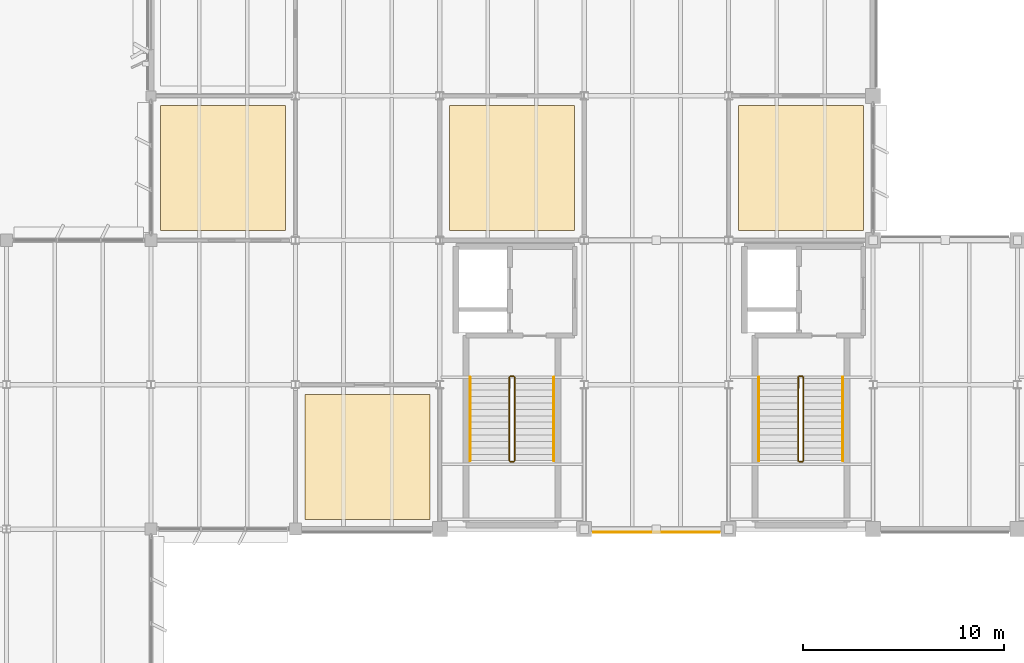
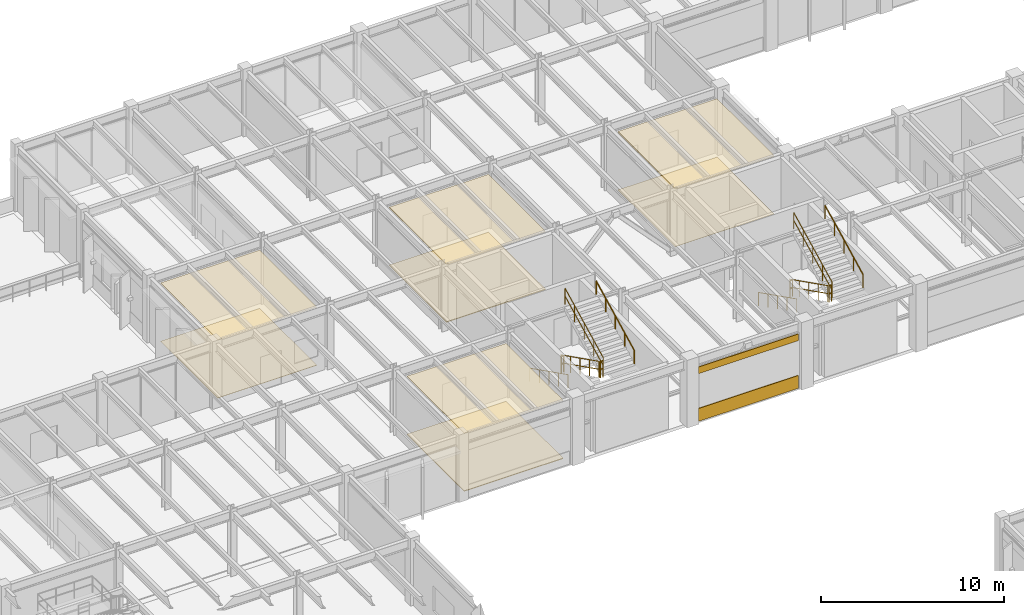
# One storey, part 87 of 92: 12 railings, 10 coverings.
"""IFC4 building model written with IfcOpenShell, lengths in metres."""

from ifc_helpers import new_model, si_unit, direction, frame, frame_2d, origin, origin_2d, place, context, subcontext, project, spatial, polyline, rectangle, circle, outline, extrude, material, layer, layer_set, type_object, element, save


model = new_model("IFC4")

# Units and contexts
model_context = context("Model", 3, precision=1e-05, world=origin(), true_north=direction((0.0, 1.0)))
body_context = subcontext(model_context, "Body", "Model", "MODEL_VIEW")
ifc_project = project(units=[si_unit("LENGTHUNIT", "METRE"), si_unit("AREAUNIT", "SQUARE_METRE"), si_unit("VOLUMEUNIT", "CUBIC_METRE"), si_unit("PLANEANGLEUNIT", "RADIAN"), si_unit("MASSUNIT", "GRAM", prefix="KILO")], contexts=[model_context])

# Site, building, storey
site_placement = place(None, origin())
site = spatial("IfcSite", under=ifc_project, at=site_placement, CompositionType="ELEMENT")
building_placement = place(site_placement, origin())
building = spatial("IfcBuilding", under=site, at=building_placement, Name="Sillqori Civic Hall", CompositionType="ELEMENT")
storey_placement = place(building_placement, frame((0.0, 0.0, 5.39990234375)))
storey = spatial("IfcBuildingStorey", under=building, at=storey_placement, Name="L02", CompositionType="ELEMENT", Elevation=5.39990234375)

# Coverings
ifc_material_1 = material(Name="Acoustic Gypsum Board Assembly 34", Category="gypsum")
ifc_layer_1 = layer(ifc_material_1, 0.033935546875)
ifc_layer_set_1 = layer_set([ifc_layer_1], Name="Acoustic Gypsum Board Assembly 34")
covering_type_1 = type_object("IfcCoveringType", Name="COV-CEIL-G34", PredefinedType="CEILING", material=ifc_layer_set_1)
covering_1_placement = place(storey_placement, frame((0.0, 0.0, 3.8671875)))
element("IfcCovering", 1, at=covering_1_placement, inside=storey, type_object=covering_type_1, Name="Staff Seminar and Civic Training Classroom acoustic ceiling", PredefinedType="CEILING", context=body_context, shape_type="SweptSolid", body=[
    extrude(outline(polyline([(43.679931640625, 79.679931640625), (49.919921875, 79.679931640625), (49.919921875, 85.919921875), (43.679931640625, 85.919921875), (43.679931640625, 79.679931640625)])), origin(), (0.0, 0.0, 1.0), 0.033935546875),
])
ifc_material_2 = material(Name="Acoustic Wool Metal Plank 76", Category="aluminium")
ifc_layer_2 = layer(ifc_material_2, 0.075927734375)
ifc_layer_set_2 = layer_set([ifc_layer_2], Name="Acoustic Wool Metal Plank 76")
covering_type_2 = type_object("IfcCoveringType", Name="COV-CEIL-M76", PredefinedType="CEILING", material=ifc_layer_set_2)
covering_2_placement = place(storey_placement, frame((0.0, 0.0, 3.8251953125)))
element("IfcCovering", 2, at=covering_2_placement, inside=storey, type_object=covering_type_2, Name="Environmental Licensing Review Office L02-07 acoustic ceiling", PredefinedType="CEILING", context=body_context, shape_type="SweptSolid", body=[
    extrude(outline(polyline([(65.280029296875, 94.080078125), (71.52001953125, 94.080078125), (71.52001953125, 100.320068359375), (65.280029296875, 100.320068359375), (65.280029296875, 94.080078125)])), origin(), (0.0, 0.0, 1.0), 0.075927734375),
])
ifc_material_3 = material(Name="Mineral-Fibre High-NRC Tile Ceiling", Category="gypsum")
ifc_layer_3 = layer(ifc_material_3, 0.02392578125)
ifc_layer_set_3 = layer_set([ifc_layer_3], Name="Mineral-Fibre High-NRC Tile Ceiling")
covering_type_3 = type_object("IfcCoveringType", Name="COV-CEIL-MIN", PredefinedType="CEILING", material=ifc_layer_set_3)
covering_3_placement = place(storey_placement, frame((0.0, 0.0, 3.877197265625)))
element("IfcCovering", 3, at=covering_3_placement, inside=storey, type_object=covering_type_3, Name="Municipal Cadastre GIS Mapping Studio acoustic ceiling", PredefinedType="CEILING", context=body_context, shape_type="SweptSolid", body=[
    extrude(outline(polyline([(36.47998046875, 94.080078125), (42.719970703125, 94.080078125), (42.719970703125, 100.320068359375), (36.47998046875, 100.320068359375), (36.47998046875, 94.080078125)])), origin(), (0.0, 0.0, 1.0), 0.02392578125),
])
ifc_material_4 = material(Name="Andean Cedar Slatted Baffle 46", Category="timber")
ifc_layer_4 = layer(ifc_material_4, 0.0458984375)
ifc_layer_set_4 = layer_set([ifc_layer_4], Name="Andean Cedar Slatted Baffle 46")
covering_type_4 = type_object("IfcCoveringType", Name="COV-CEIL-T46", PredefinedType="CEILING", material=ifc_layer_set_4)
covering_4_placement = place(storey_placement, frame((0.0, 0.0, 3.85498046875)))
element("IfcCovering", 4, at=covering_4_placement, inside=storey, type_object=covering_type_4, Name="Urban Mobility and Transport Directorate L02-05 acoustic ceiling", PredefinedType="CEILING", context=body_context, shape_type="SweptSolid", body=[
    extrude(outline(polyline([(50.8798828125, 94.080078125), (57.1201171875, 94.080078125), (57.1201171875, 100.320068359375), (50.8798828125, 100.320068359375), (50.8798828125, 94.080078125)])), origin(), (0.0, 0.0, 1.0), 0.046142578125),
])
ifc_material_5 = material(Name="Cochabamba Honed Limestone Cladding", Category="masonry")
ifc_layer_5 = layer(ifc_material_5, 0.044921875)
ifc_layer_set_5 = layer_set([ifc_layer_5], Name="Cochabamba Honed Limestone Cladding")
covering_type_5 = type_object("IfcCoveringType", Name="COV-CLAD-LIME", PredefinedType="CLADDING", material=ifc_layer_set_5)
covering_5_placement = place(storey_placement, frame((64.344970703125, 79.0400390625, 0.0400390625), z_axis=(0.0, 0.0, 1.0), x_axis=(-1.0, 0.0, 0.0)))
element("IfcCovering", 5, at=covering_5_placement, inside=storey, type_object=covering_type_5, Name="L02 limestone spandrel cladding L02-08-11-S", PredefinedType="CLADDING", context=body_context, shape_type="SweptSolid", body=[
    extrude(rectangle(XDim=6.2900390625, YDim=0.044921875, at=frame_2d((3.14501953125, 0.0))), origin(), (0.0, 0.0, 1.0), 0.860107421875),
])
covering_6_placement = place(storey_placement, frame((64.344970703125, 79.0400390625, 3.22021484375), z_axis=(0.0, 0.0, 1.0), x_axis=(-1.0, 0.0, 0.0)))
element("IfcCovering", 6, at=covering_6_placement, inside=storey, type_object=covering_type_5, Name="L02 limestone frieze cladding L02-08-11-S", PredefinedType="CLADDING", context=body_context, shape_type="SweptSolid", body=[
    extrude(rectangle(XDim=6.2900390625, YDim=0.044921875, at=frame_2d((3.14501953125, 0.0))), origin(), (0.0, 0.0, 1.0), 0.43798828125),
])
ifc_material_6 = material(Name="Slip-Resistant R11 Porcelain Tile", Category="ceramic")
ifc_layer_6 = layer(ifc_material_6, 0.02001953125)
ifc_layer_set_6 = layer_set([ifc_layer_6], Name="Slip-Resistant R11 Porcelain Tile")
covering_type_6 = type_object("IfcCoveringType", Name="COV-FLR-POR", PredefinedType="FLOORING", material=ifc_layer_set_6)
covering_7_placement = place(storey_placement, origin())
element("IfcCovering", 7, at=covering_7_placement, inside=storey, type_object=covering_type_6, Name="Municipal Cadastre GIS Mapping Studio floor finish", PredefinedType="FLOORING", context=body_context, shape_type="SweptSolid", body=[
    extrude(outline(polyline([(36.47998046875, 94.080078125), (42.719970703125, 94.080078125), (42.719970703125, 100.320068359375), (36.47998046875, 100.320068359375), (36.47998046875, 94.080078125)])), origin(), (0.0, 0.0, 1.0), 0.02001953125),
])
ifc_material_7 = material(Name="Seamless Polyurethane Acoustic Screed 12", Category="resin")
ifc_layer_7 = layer(ifc_material_7, 0.011962890625)
ifc_layer_set_7 = layer_set([ifc_layer_7], Name="Seamless Polyurethane Acoustic Screed 12")
covering_type_7 = type_object("IfcCoveringType", Name="COV-FLR-R12", PredefinedType="FLOORING", material=ifc_layer_set_7)
covering_8_placement = place(storey_placement, origin())
element("IfcCovering", 8, at=covering_8_placement, inside=storey, type_object=covering_type_7, Name="Environmental Licensing Review Office L02-07 floor finish", PredefinedType="FLOORING", context=body_context, shape_type="SweptSolid", body=[
    extrude(outline(polyline([(65.280029296875, 94.080078125), (71.52001953125, 94.080078125), (71.52001953125, 100.320068359375), (65.280029296875, 100.320068359375), (65.280029296875, 94.080078125)])), origin(), (0.0, 0.0, 1.0), 0.01220703125),
])
ifc_material_8 = material(Name="Honed Comanche Sandstone Paving 44", Category="masonry")
ifc_layer_8 = layer(ifc_material_8, 0.0439453125)
ifc_layer_set_8 = layer_set([ifc_layer_8], Name="Honed Comanche Sandstone Paving 44")
covering_type_8 = type_object("IfcCoveringType", Name="COV-FLR-S44", PredefinedType="FLOORING", material=ifc_layer_set_8)
covering_9_placement = place(storey_placement, origin())
element("IfcCovering", 9, at=covering_9_placement, inside=storey, type_object=covering_type_8, Name="Staff Seminar and Civic Training Classroom floor finish", PredefinedType="FLOORING", context=body_context, shape_type="SweptSolid", body=[
    extrude(outline(polyline([(43.679931640625, 79.679931640625), (49.919921875, 79.679931640625), (49.919921875, 85.919921875), (43.679931640625, 85.919921875), (43.679931640625, 79.679931640625)])), origin(), (0.0, 0.0, 1.0), 0.044189453125),
])
ifc_material_9 = material(Name="Thick Ceremonial Limestone Flagstone 50", Category="masonry")
ifc_layer_9 = layer(ifc_material_9, 0.050048828125)
ifc_layer_set_9 = layer_set([ifc_layer_9], Name="Thick Ceremonial Limestone Flagstone 50")
covering_type_9 = type_object("IfcCoveringType", Name="COV-FLR-S50", PredefinedType="FLOORING", material=ifc_layer_set_9)
covering_10_placement = place(storey_placement, origin())
element("IfcCovering", 10, at=covering_10_placement, inside=storey, type_object=covering_type_9, Name="Urban Mobility and Transport Directorate L02-05 floor finish", PredefinedType="FLOORING", context=body_context, shape_type="SweptSolid", body=[
    extrude(outline(polyline([(50.8798828125, 94.080078125), (57.1201171875, 94.080078125), (57.1201171875, 100.320068359375), (50.8798828125, 100.320068359375), (50.8798828125, 94.080078125)])), origin(), (0.0, 0.0, 1.0), 0.050048828125),
])

# Railings
ifc_material_10 = material(Name="Brushed Stainless Steel 316 Handrail", Category="steel")
ifc_layer_10 = layer(ifc_material_10, 0.044921875)
ifc_layer_set_10 = layer_set([ifc_layer_10], Name="Brushed Stainless Steel 316 Handrail")
railing_type_1 = type_object("IfcRailingType", Name="RLG-CORE-092", PredefinedType="HANDRAIL", material=ifc_layer_set_10)
railing_1_placement = place(storey_placement, frame((51.909912109375, 86.77001953125, 0.160888671875)))
element("IfcRailing", 11, at=railing_1_placement, inside=storey, type_object=railing_type_1, Name="L02 ST-05 stair handrail 1", PredefinedType="HANDRAIL", context=body_context, shape_type="SweptSolid", body=[
    extrude(circle(Radius=0.02392578125, at=origin_2d()), frame((0.0, 0.0, 0.8759765625), z_axis=(0.0, -0.893639106791, 0.448786304173), x_axis=(1.0, 0.0, 0.0)), (0.0, 0.0, 1.0), 4.655029296875),
    extrude(circle(Radius=0.02099609375, at=origin_2d()), origin(), (0.0, 0.0, 1.0), 0.851806640625),
    extrude(circle(Radius=0.02099609375, at=origin_2d()), frame((0.0, -1.0400390625, 0.522216796875)), (0.0, 0.0, 1.0), 0.851806640625),
    extrude(circle(Radius=0.02099609375, at=origin_2d()), frame((0.0, -2.080078125, 1.04443359375)), (0.0, 0.0, 1.0), 0.851806640625),
    extrude(circle(Radius=0.02099609375, at=origin_2d()), frame((0.0, -3.119873046875, 1.56689453125)), (0.0, 0.0, 1.0), 0.851806640625),
    extrude(circle(Radius=0.02099609375, at=origin_2d()), frame((0.0, -4.159912109375, 2.089111328125)), (0.0, 0.0, 1.0), 0.851806640625),
])
railing_2_placement = place(storey_placement, frame((56.090087890625, 82.610107421875, 2.410888671875)))
element("IfcRailing", 12, at=railing_2_placement, inside=storey, type_object=railing_type_1, Name="L02 ST-05 stair handrail 2", PredefinedType="HANDRAIL", context=body_context, shape_type="SweptSolid", body=[
    extrude(circle(Radius=0.02392578125, at=origin_2d()), frame((0.0, 0.0, 0.8759765625), z_axis=(0.0, 0.893639106791, 0.448786304173), x_axis=(-1.0, 0.0, 0.0)), (0.0, 0.0, 1.0), 4.655029296875),
    extrude(circle(Radius=0.02099609375, at=origin_2d()), origin(), (0.0, 0.0, 1.0), 0.851806640625),
    extrude(circle(Radius=0.02099609375, at=origin_2d()), frame((0.0, 1.0400390625, 0.522216796875)), (0.0, 0.0, 1.0), 0.851806640625),
    extrude(circle(Radius=0.02099609375, at=origin_2d()), frame((0.0, 2.080078125, 1.04443359375)), (0.0, 0.0, 1.0), 0.851806640625),
    extrude(circle(Radius=0.02099609375, at=origin_2d()), frame((0.0, 3.119873046875, 1.56689453125)), (0.0, 0.0, 1.0), 0.851806640625),
    extrude(circle(Radius=0.02099609375, at=origin_2d()), frame((0.0, 4.159912109375, 2.089111328125)), (0.0, 0.0, 1.0), 0.851806640625),
])
railing_3_placement = place(storey_placement, frame((66.31005859375, 86.77001953125, 0.160888671875)))
element("IfcRailing", 13, at=railing_3_placement, inside=storey, type_object=railing_type_1, Name="L02 ST-06 stair handrail 1", PredefinedType="HANDRAIL", context=body_context, shape_type="SweptSolid", body=[
    extrude(circle(Radius=0.02392578125, at=origin_2d()), frame((0.0, 0.0, 0.8759765625), z_axis=(0.0, -0.893639106791, 0.448786304173), x_axis=(1.0, 0.0, 0.0)), (0.0, 0.0, 1.0), 4.655029296875),
    extrude(circle(Radius=0.02099609375, at=origin_2d()), origin(), (0.0, 0.0, 1.0), 0.851806640625),
    extrude(circle(Radius=0.02099609375, at=origin_2d()), frame((0.0, -1.0400390625, 0.522216796875)), (0.0, 0.0, 1.0), 0.851806640625),
    extrude(circle(Radius=0.02099609375, at=origin_2d()), frame((0.0, -2.080078125, 1.04443359375)), (0.0, 0.0, 1.0), 0.851806640625),
    extrude(circle(Radius=0.02099609375, at=origin_2d()), frame((0.0, -3.119873046875, 1.56689453125)), (0.0, 0.0, 1.0), 0.851806640625),
    extrude(circle(Radius=0.02099609375, at=origin_2d()), frame((0.0, -4.159912109375, 2.089111328125)), (0.0, 0.0, 1.0), 0.851806640625),
])
railing_4_placement = place(storey_placement, frame((70.489990234375, 82.610107421875, 2.410888671875)))
element("IfcRailing", 14, at=railing_4_placement, inside=storey, type_object=railing_type_1, Name="L02 ST-06 stair handrail 2", PredefinedType="HANDRAIL", context=body_context, shape_type="SweptSolid", body=[
    extrude(circle(Radius=0.02392578125, at=origin_2d()), frame((0.0, 0.0, 0.8759765625), z_axis=(0.0, 0.893639106791, 0.448786304173), x_axis=(-1.0, 0.0, 0.0)), (0.0, 0.0, 1.0), 4.655029296875),
    extrude(circle(Radius=0.02099609375, at=origin_2d()), origin(), (0.0, 0.0, 1.0), 0.851806640625),
    extrude(circle(Radius=0.02099609375, at=origin_2d()), frame((0.0, 1.0400390625, 0.522216796875)), (0.0, 0.0, 1.0), 0.851806640625),
    extrude(circle(Radius=0.02099609375, at=origin_2d()), frame((0.0, 2.080078125, 1.04443359375)), (0.0, 0.0, 1.0), 0.851806640625),
    extrude(circle(Radius=0.02099609375, at=origin_2d()), frame((0.0, 3.119873046875, 1.56689453125)), (0.0, 0.0, 1.0), 0.851806640625),
    extrude(circle(Radius=0.02099609375, at=origin_2d()), frame((0.0, 4.159912109375, 2.089111328125)), (0.0, 0.0, 1.0), 0.851806640625),
])
ifc_material_11 = material(Name="Galvanized Painted Steel Guardrail", Category="steel")
ifc_layer_11 = layer(ifc_material_11, 0.050048828125)
ifc_layer_set_11 = layer_set([ifc_layer_11], Name="Galvanized Painted Steel Guardrail")
railing_type_2 = type_object("IfcRailingType", Name="RLG-CORE-110", PredefinedType="GUARDRAIL", material=ifc_layer_set_11)
railing_5_placement = place(storey_placement, frame((53.8701171875, 86.77001953125, 0.160888671875)))
element("IfcRailing", 15, at=railing_5_placement, inside=storey, type_object=railing_type_2, Name="L02 ST-05 stair guard 1", PredefinedType="GUARDRAIL", context=body_context, shape_type="SweptSolid", body=[
    extrude(circle(Radius=0.02392578125, at=origin_2d()), frame((0.0, 0.0, 1.076171875), z_axis=(0.0, -0.893639106791, 0.448786304173), x_axis=(1.0, 0.0, 0.0)), (0.0, 0.0, 1.0), 4.655029296875),
    extrude(circle(Radius=0.02392578125, at=origin_2d()), frame((0.0, 0.0, 0.550048828125), z_axis=(0.0, -0.893639106791, 0.448786304173), x_axis=(1.0, 0.0, 0.0)), (0.0, 0.0, 1.0), 4.655029296875),
    extrude(circle(Radius=0.02099609375, at=origin_2d()), origin(), (0.0, 0.0, 1.0), 1.052001953125),
    extrude(circle(Radius=0.02099609375, at=origin_2d()), frame((0.0, -1.0400390625, 0.522216796875)), (0.0, 0.0, 1.0), 1.052001953125),
    extrude(circle(Radius=0.02099609375, at=origin_2d()), frame((0.0, -2.080078125, 1.04443359375)), (0.0, 0.0, 1.0), 1.052001953125),
    extrude(circle(Radius=0.02099609375, at=origin_2d()), frame((0.0, -3.119873046875, 1.56689453125)), (0.0, 0.0, 1.0), 1.052001953125),
    extrude(circle(Radius=0.02099609375, at=origin_2d()), frame((0.0, -4.159912109375, 2.089111328125)), (0.0, 0.0, 1.0), 1.052001953125),
])
railing_6_placement = place(storey_placement, frame((53.919921875, 82.56005859375, 2.25)))
element("IfcRailing", 16, at=railing_6_placement, inside=storey, type_object=railing_type_2, Name="L02 ST-05 stair guard 2", PredefinedType="GUARDRAIL", context=body_context, shape_type="SweptSolid", body=[
    extrude(circle(Radius=0.02392578125, at=origin_2d()), frame((0.0, 0.0, 1.076171875), z_axis=(1.0, 0.0, 0.0), x_axis=(0.0, 1.0, 0.0)), (0.0, 0.0, 1.0), 0.16015625),
    extrude(circle(Radius=0.02392578125, at=origin_2d()), frame((0.0, 0.0, 0.550048828125), z_axis=(1.0, 0.0, 0.0), x_axis=(0.0, 1.0, 0.0)), (0.0, 0.0, 1.0), 0.16015625),
    extrude(circle(Radius=0.02099609375, at=origin_2d()), origin(), (0.0, 0.0, 1.0), 1.052001953125),
    extrude(circle(Radius=0.02099609375, at=origin_2d()), frame((0.16015625, 0.0, 0.0)), (0.0, 0.0, 1.0), 1.052001953125),
])
railing_7_placement = place(storey_placement, frame((54.1298828125, 82.610107421875, 2.410888671875)))
element("IfcRailing", 17, at=railing_7_placement, inside=storey, type_object=railing_type_2, Name="L02 ST-05 stair guard 3", PredefinedType="GUARDRAIL", context=body_context, shape_type="SweptSolid", body=[
    extrude(circle(Radius=0.02392578125, at=origin_2d()), frame((0.0, 0.0, 1.076171875), z_axis=(0.0, 0.893639106791, 0.448786304173), x_axis=(-1.0, 0.0, 0.0)), (0.0, 0.0, 1.0), 4.655029296875),
    extrude(circle(Radius=0.02392578125, at=origin_2d()), frame((0.0, 0.0, 0.550048828125), z_axis=(0.0, 0.893639106791, 0.448786304173), x_axis=(-1.0, 0.0, 0.0)), (0.0, 0.0, 1.0), 4.655029296875),
    extrude(circle(Radius=0.02099609375, at=origin_2d()), origin(), (0.0, 0.0, 1.0), 1.052001953125),
    extrude(circle(Radius=0.02099609375, at=origin_2d()), frame((0.0, 1.0400390625, 0.522216796875)), (0.0, 0.0, 1.0), 1.052001953125),
    extrude(circle(Radius=0.02099609375, at=origin_2d()), frame((0.0, 2.080078125, 1.04443359375)), (0.0, 0.0, 1.0), 1.052001953125),
    extrude(circle(Radius=0.02099609375, at=origin_2d()), frame((0.0, 3.119873046875, 1.56689453125)), (0.0, 0.0, 1.0), 1.052001953125),
    extrude(circle(Radius=0.02099609375, at=origin_2d()), frame((0.0, 4.159912109375, 2.089111328125)), (0.0, 0.0, 1.0), 1.052001953125),
])
railing_8_placement = place(storey_placement, frame((53.919921875, 86.820068359375, 0.0)))
element("IfcRailing", 18, at=railing_8_placement, inside=storey, type_object=railing_type_2, Name="L02 ST-05 stair guard 4", PredefinedType="GUARDRAIL", context=body_context, shape_type="SweptSolid", body=[
    extrude(circle(Radius=0.02392578125, at=origin_2d()), frame((0.0, 0.0, 1.076171875), z_axis=(1.0, 0.0, 0.0), x_axis=(0.0, 1.0, 0.0)), (0.0, 0.0, 1.0), 0.16015625),
    extrude(circle(Radius=0.02392578125, at=origin_2d()), frame((0.0, 0.0, 0.550048828125), z_axis=(1.0, 0.0, 0.0), x_axis=(0.0, 1.0, 0.0)), (0.0, 0.0, 1.0), 0.16015625),
    extrude(circle(Radius=0.02099609375, at=origin_2d()), origin(), (0.0, 0.0, 1.0), 1.052001953125),
    extrude(circle(Radius=0.02099609375, at=origin_2d()), frame((0.16015625, 0.0, 0.0)), (0.0, 0.0, 1.0), 1.052001953125),
])
railing_9_placement = place(storey_placement, frame((68.27001953125, 86.77001953125, 0.160888671875)))
element("IfcRailing", 19, at=railing_9_placement, inside=storey, type_object=railing_type_2, Name="L02 ST-06 stair guard 1", PredefinedType="GUARDRAIL", context=body_context, shape_type="SweptSolid", body=[
    extrude(circle(Radius=0.02392578125, at=origin_2d()), frame((0.0, 0.0, 1.076171875), z_axis=(0.0, -0.893639106791, 0.448786304173), x_axis=(1.0, 0.0, 0.0)), (0.0, 0.0, 1.0), 4.655029296875),
    extrude(circle(Radius=0.02392578125, at=origin_2d()), frame((0.0, 0.0, 0.550048828125), z_axis=(0.0, -0.893639106791, 0.448786304173), x_axis=(1.0, 0.0, 0.0)), (0.0, 0.0, 1.0), 4.655029296875),
    extrude(circle(Radius=0.02099609375, at=origin_2d()), origin(), (0.0, 0.0, 1.0), 1.052001953125),
    extrude(circle(Radius=0.02099609375, at=origin_2d()), frame((0.0, -1.0400390625, 0.522216796875)), (0.0, 0.0, 1.0), 1.052001953125),
    extrude(circle(Radius=0.02099609375, at=origin_2d()), frame((0.0, -2.080078125, 1.04443359375)), (0.0, 0.0, 1.0), 1.052001953125),
    extrude(circle(Radius=0.02099609375, at=origin_2d()), frame((0.0, -3.119873046875, 1.56689453125)), (0.0, 0.0, 1.0), 1.052001953125),
    extrude(circle(Radius=0.02099609375, at=origin_2d()), frame((0.0, -4.159912109375, 2.089111328125)), (0.0, 0.0, 1.0), 1.052001953125),
])
railing_10_placement = place(storey_placement, frame((68.320068359375, 82.56005859375, 2.25)))
element("IfcRailing", 20, at=railing_10_placement, inside=storey, type_object=railing_type_2, Name="L02 ST-06 stair guard 2", PredefinedType="GUARDRAIL", context=body_context, shape_type="SweptSolid", body=[
    extrude(circle(Radius=0.02392578125, at=origin_2d()), frame((0.0, 0.0, 1.076171875), z_axis=(1.0, 0.0, 0.0), x_axis=(0.0, 1.0, 0.0)), (0.0, 0.0, 1.0), 0.159912109375),
    extrude(circle(Radius=0.02392578125, at=origin_2d()), frame((0.0, 0.0, 0.550048828125), z_axis=(1.0, 0.0, 0.0), x_axis=(0.0, 1.0, 0.0)), (0.0, 0.0, 1.0), 0.159912109375),
    extrude(circle(Radius=0.02099609375, at=origin_2d()), origin(), (0.0, 0.0, 1.0), 1.052001953125),
    extrude(circle(Radius=0.02099609375, at=origin_2d()), frame((0.159912109375, 0.0, 0.0)), (0.0, 0.0, 1.0), 1.052001953125),
])
railing_11_placement = place(storey_placement, frame((68.530029296875, 82.610107421875, 2.410888671875)))
element("IfcRailing", 21, at=railing_11_placement, inside=storey, type_object=railing_type_2, Name="L02 ST-06 stair guard 3", PredefinedType="GUARDRAIL", context=body_context, shape_type="SweptSolid", body=[
    extrude(circle(Radius=0.02392578125, at=origin_2d()), frame((0.0, 0.0, 1.076171875), z_axis=(0.0, 0.893639106791, 0.448786304173), x_axis=(-1.0, 0.0, 0.0)), (0.0, 0.0, 1.0), 4.655029296875),
    extrude(circle(Radius=0.02392578125, at=origin_2d()), frame((0.0, 0.0, 0.550048828125), z_axis=(0.0, 0.893639106791, 0.448786304173), x_axis=(-1.0, 0.0, 0.0)), (0.0, 0.0, 1.0), 4.655029296875),
    extrude(circle(Radius=0.02099609375, at=origin_2d()), origin(), (0.0, 0.0, 1.0), 1.052001953125),
    extrude(circle(Radius=0.02099609375, at=origin_2d()), frame((0.0, 1.0400390625, 0.522216796875)), (0.0, 0.0, 1.0), 1.052001953125),
    extrude(circle(Radius=0.02099609375, at=origin_2d()), frame((0.0, 2.080078125, 1.04443359375)), (0.0, 0.0, 1.0), 1.052001953125),
    extrude(circle(Radius=0.02099609375, at=origin_2d()), frame((0.0, 3.119873046875, 1.56689453125)), (0.0, 0.0, 1.0), 1.052001953125),
    extrude(circle(Radius=0.02099609375, at=origin_2d()), frame((0.0, 4.159912109375, 2.089111328125)), (0.0, 0.0, 1.0), 1.052001953125),
])
railing_12_placement = place(storey_placement, frame((68.320068359375, 86.820068359375, 0.0)))
element("IfcRailing", 22, at=railing_12_placement, inside=storey, type_object=railing_type_2, Name="L02 ST-06 stair guard 4", PredefinedType="GUARDRAIL", context=body_context, shape_type="SweptSolid", body=[
    extrude(circle(Radius=0.02392578125, at=origin_2d()), frame((0.0, 0.0, 1.076171875), z_axis=(1.0, 0.0, 0.0), x_axis=(0.0, 1.0, 0.0)), (0.0, 0.0, 1.0), 0.159912109375),
    extrude(circle(Radius=0.02392578125, at=origin_2d()), frame((0.0, 0.0, 0.550048828125), z_axis=(1.0, 0.0, 0.0), x_axis=(0.0, 1.0, 0.0)), (0.0, 0.0, 1.0), 0.159912109375),
    extrude(circle(Radius=0.02099609375, at=origin_2d()), origin(), (0.0, 0.0, 1.0), 1.052001953125),
    extrude(circle(Radius=0.02099609375, at=origin_2d()), frame((0.159912109375, 0.0, 0.0)), (0.0, 0.0, 1.0), 1.052001953125),
])

save(model, "model.ifc")
